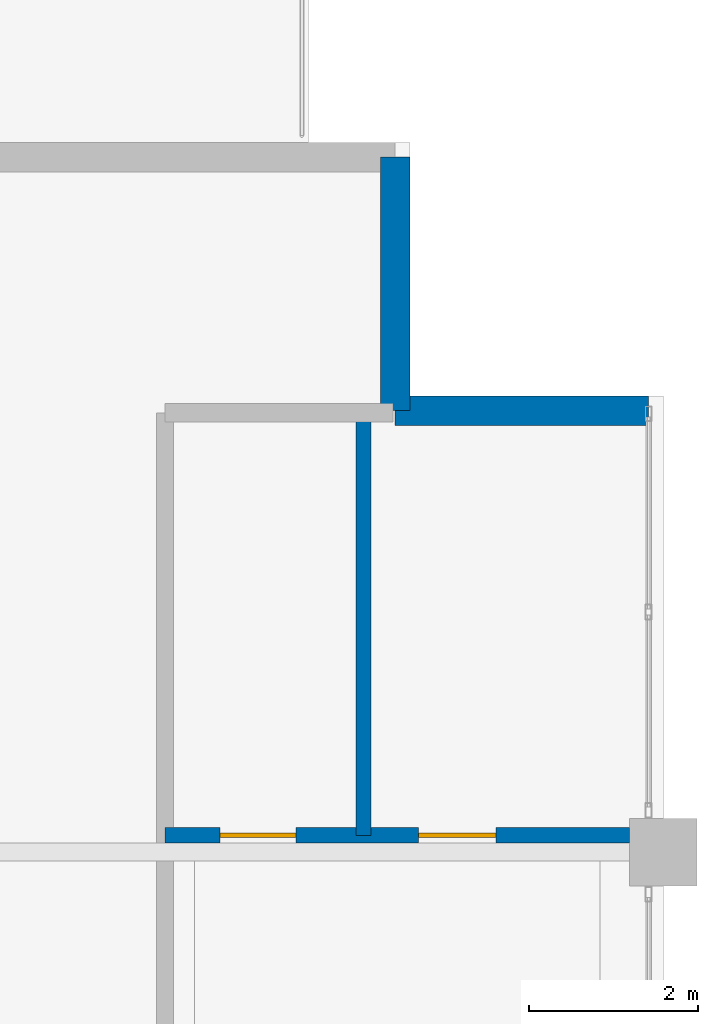
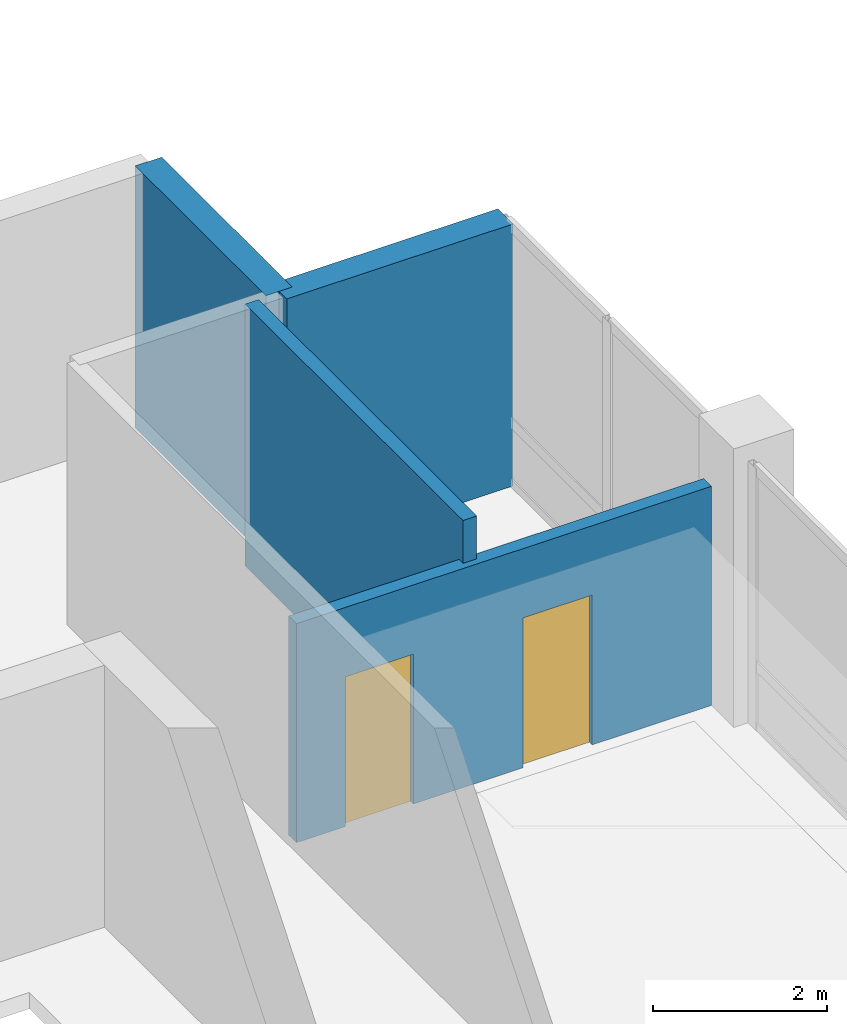
# One storey, part 8 of 14: 4 walls, 2 doors, 2 openings.
"""IFC4 building model written with IfcOpenShell, lengths in metres."""

from ifc_helpers import new_model, si_unit, direction, frame, frame_2d, origin, place, context, subcontext, project, spatial, rectangle, extrude, material, layer, layer_set, type_object, element, fill, save


model = new_model("IFC4")

# Units and contexts
model_context = context("Model", 3, precision=1e-05, world=origin(), true_north=direction((0.0, 1.0)))
body_context = subcontext(model_context, "Body", "Model", "MODEL_VIEW")
ifc_project = project(units=[si_unit("LENGTHUNIT", "METRE"), si_unit("AREAUNIT", "SQUARE_METRE"), si_unit("VOLUMEUNIT", "CUBIC_METRE"), si_unit("PLANEANGLEUNIT", "RADIAN"), si_unit("MASSUNIT", "GRAM", prefix="KILO")], contexts=[model_context])

# Site, building, storey
site_placement = place(None, origin())
site = spatial("IfcSite", under=ifc_project, at=site_placement, CompositionType="ELEMENT")
building_placement = place(site_placement, origin())
building = spatial("IfcBuilding", under=site, at=building_placement, Name="Koriwani Terraces Tower", CompositionType="ELEMENT")
storey_placement = place(building_placement, frame((0.0, 0.0, 308.60009765625)))
storey = spatial("IfcBuildingStorey", under=building, at=storey_placement, Name="L76", CompositionType="ELEMENT", Elevation=308.60009765625)

# Walls
ifc_material_1 = material(Name="Concrete C50/60", Category="concrete")
ifc_layer_1 = layer(ifc_material_1, 0.35009765625, Name="Concrete C50/60")
ifc_layer_set_1 = layer_set([ifc_layer_1], Name="Concrete C50/60")
wall_type_1 = type_object("IfcWallType", Name="WALL_EXT_BRUTALIST_350", PredefinedType="STANDARD", material=ifc_layer_set_1)
for number, where, z_axis, x_axis, name in (
    (1, (64.02490234375, 33.425048828125, 0.0), (0.0, 0.0, 1.0), (0.0, -1.0, 0.0), "L76 Fair-Faced Brutalist Exterior Wall (N10)"),
    (2, (64.02490234375, 30.425048828125, 0.0), (0.0, 0.0, 1.0), (1.0, 0.0, 0.0), "L76 Fair-Faced Brutalist Exterior Wall (N11)"),
):
    element("IfcWall", number, at=place(storey_placement, frame(where, z_axis=z_axis, x_axis=x_axis)), inside=storey, type_object=wall_type_1, Name=name, PredefinedType="STANDARD", context=body_context, shape_type="SweptSolid", body=[
        extrude(rectangle(XDim=3.0, YDim=0.35009765625, at=frame_2d((1.5, 0.0))), origin(), (0.0, 0.0, 1.0), 3.669921875),
    ])

# Wall, openings, doors
ifc_material_2 = material(Name="Fire-Rated Acoustic Gypsum Partition", Category="masonry")
ifc_layer_2 = layer(ifc_material_2, 0.179931640625, Name="Fire-Rated Acoustic Gypsum Partition")
ifc_layer_set_2 = layer_set([ifc_layer_2], Name="Fire-Rated Acoustic Gypsum Partition")
wall_type_2 = type_object("IfcWallType", Name="WALL_PLUMBING_180", PredefinedType="PLUMBINGWALL", material=ifc_layer_set_2)
wall_1_placement = place(storey_placement, frame((61.300048828125, 25.39990234375, 0.0), z_axis=(0.0, 0.0, 1.0), x_axis=(1.0, 0.0, 0.0)))
wall_1 = element("IfcWall", 3, at=wall_1_placement, inside=storey, type_object=wall_type_2, Name="L76 Interior Wall WET-SVB-L76", PredefinedType="PLUMBINGWALL", context=body_context, shape_type="SweptSolid", body=[
    extrude(rectangle(XDim=5.5, YDim=0.179931640625, at=frame_2d((2.75, 0.0))), origin(), (0.0, 0.0, 1.0), 3.06982421875),
])
opening_1_placement = place(wall_1_placement, frame((0.64990234375, 0.0, 0.0)))
opening_1 = element("IfcOpeningElement", 4, at=opening_1_placement, cuts=wall_1, Name="Opening D-07", PredefinedType="OPENING", context=body_context, shape_type="SweptSolid", body=[
    extrude(rectangle(XDim=0.89990234375, YDim=2.10009765625, at=frame_2d((0.449951171875, 1.050048828125))), frame((0.0, 0.10009765625, 0.0), z_axis=(0.0, -1.0, 0.0), x_axis=(1.0, 0.0, 0.0)), (0.0, 0.0, 1.0), 0.199951171875),
])
opening_2_placement = place(wall_1_placement, frame((3.0, 0.0, 0.0)))
opening_2 = element("IfcOpeningElement", 5, at=opening_2_placement, cuts=wall_1, Name="Opening D-06", PredefinedType="OPENING", context=body_context, shape_type="SweptSolid", body=[
    extrude(rectangle(XDim=0.919921875, YDim=2.10009765625, at=frame_2d((0.4599609375, 1.050048828125))), frame((0.0, 0.10009765625, 0.0), z_axis=(0.0, -1.0, 0.0), x_axis=(1.0, 0.0, 0.0)), (0.0, 0.0, 1.0), 0.199951171875),
])
ifc_material_3 = material(Name="Architectural Oak Fire Door", Category="wood")
door_type_1 = type_object("IfcDoorType", Name="DOOR_BATH_INT_900X2100", OperationType="NOTDEFINED", PredefinedType="DOOR", material=ifc_material_3)
door_1_placement = place(opening_1_placement, origin())
door_1 = element("IfcDoor", 6, at=door_1_placement, inside=storey, type_object=door_type_1, Name="Apartment 76ET Bathroom Door", OperationType="SINGLE_SWING_LEFT", OverallHeight=2.10009765625, OverallWidth=0.89990234375, PredefinedType="DOOR", context=body_context, shape_type="SweptSolid", body=[
    extrude(rectangle(XDim=0.89990234375, YDim=2.10009765625, at=frame_2d((0.449951171875, 1.050048828125))), frame((0.0, 0.02490234375, 0.0), z_axis=(0.0, -1.0, 0.0), x_axis=(1.0, 0.0, 0.0)), (0.0, 0.0, 1.0), 0.050048828125),
])
fill(opening_1, door_1)
door_type_2 = type_object("IfcDoorType", Name="DOOR_ROOM_INT_920X2100", OperationType="NOTDEFINED", PredefinedType="DOOR", material=ifc_material_3)
door_2_placement = place(opening_2_placement, origin())
door_2 = element("IfcDoor", 7, at=door_2_placement, inside=storey, type_object=door_type_2, Name="Apartment 76ET Kitchen Door", OperationType="SINGLE_SWING_RIGHT", OverallHeight=2.10009765625, OverallWidth=0.919921875, PredefinedType="DOOR", context=body_context, shape_type="SweptSolid", body=[
    extrude(rectangle(XDim=0.919921875, YDim=2.10009765625, at=frame_2d((0.4599609375, 1.050048828125))), frame((0.0, 0.02490234375, 0.0), z_axis=(0.0, -1.0, 0.0), x_axis=(1.0, 0.0, 0.0)), (0.0, 0.0, 1.0), 0.050048828125),
])
fill(opening_2, door_2)

# Wall
wall_2_placement = place(storey_placement, frame((63.64990234375, 25.39990234375, 0.0), z_axis=(0.0, 0.0, 1.0), x_axis=(0.0, 1.0, 0.0)))
element("IfcWall", 8, at=wall_2_placement, inside=storey, type_object=wall_type_2, Name="L76 Interior Wall WET-SVCM-L76", PredefinedType="PLUMBINGWALL", context=body_context, shape_type="SweptSolid", body=[
    extrude(rectangle(XDim=5.0, YDim=0.179931640625, at=frame_2d((2.5, 0.0))), origin(), (0.0, 0.0, 1.0), 3.669921875),
])

save(model, "model.ifc")
